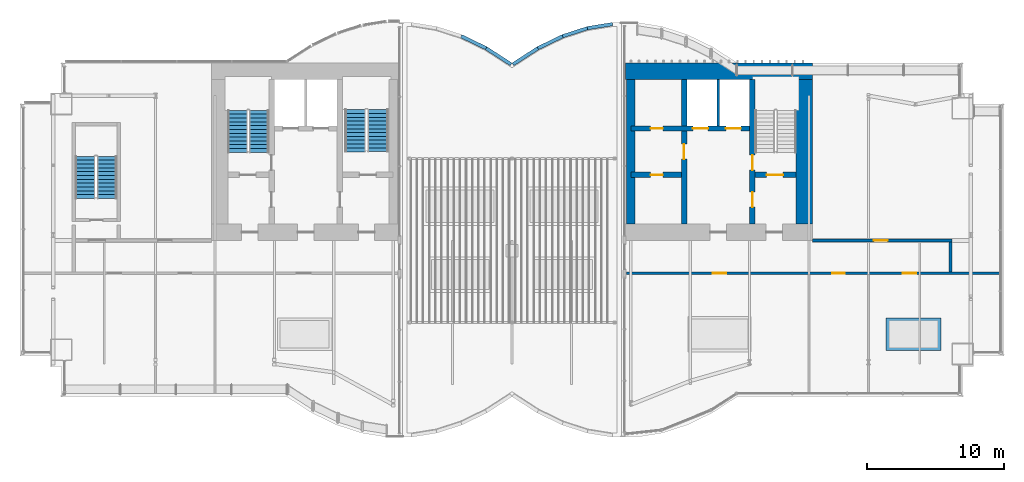
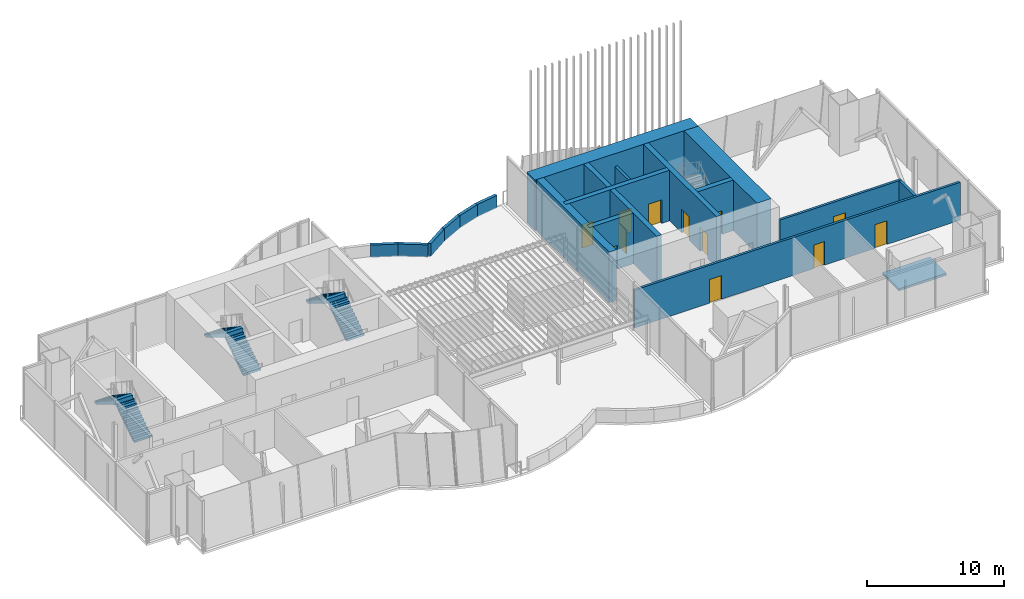
# One storey, part 13 of 18: 19 walls, 12 doors, 6 stair flights, 12 openings, 3 elements without a shape of their own.
"""IFC4 building model written with IfcOpenShell, lengths in metres."""

import ifcopenshell
import ifcopenshell.guid

model = None  # the IFC model being written
_history = None  # IfcOwnerHistory: only IFC2X3 demands one
_inside = {}  # id of a spatial element -> (the spatial element, [elements in it])
_under = {}  # id of a project, library or spatial element -> (it, [spatial elements below it])
_declared = {}  # id of a project -> (the project, [libraries it declares])
_typed = {}  # id of a type object -> (the type object, [elements of that type])
_made_of = {}  # id of a material, layer set ... -> (it, [elements and type objects made of it])


def new_model(schema):
    """Start an empty IFC model of exactly this schema.

    Asked for "IFC4X3", IfcOpenShell would pick the latest addendum, in which some entities
    have other attributes; the version numbers below select the first issue.
    IFC2X3 requires an IfcOwnerHistory on every rooted entity: one is made here for all.
    """
    global model, _history
    if schema == "IFC4X3":
        model = ifcopenshell.file(schema_version=(4, 3, 0, 0))
    else:
        model = ifcopenshell.file(schema=schema)
    _inside.clear()
    _under.clear()
    _declared.clear()
    _typed.clear()
    _made_of.clear()
    _history = None
    if model.schema == "IFC2X3":
        org = make("IfcOrganization", Name="unknown")
        user = make(
            "IfcPersonAndOrganization",
            ThePerson=make("IfcPerson", FamilyName="unknown"),
            TheOrganization=org,
        )
        app = make(
            "IfcApplication",
            ApplicationDeveloper=org,
            Version="unknown",
            ApplicationFullName="unknown",
            ApplicationIdentifier="unknown",
        )
        _history = make(
            "IfcOwnerHistory",
            OwningUser=user,
            OwningApplication=app,
            ChangeAction="ADDED",
            CreationDate=0,
        )
    return model


def make(cls, **values):
    """One entity of the class cls with the attributes given. An attribute that is None is left unset."""
    return model.create_entity(
        cls, **{name: value for name, value in values.items() if value is not None}
    )


def rooted(cls, **values):
    """An entity with a GlobalId (a new one), such as an element, a storey or a relation."""
    return make(cls, GlobalId=ifcopenshell.guid.new(), OwnerHistory=_history, **values)


def si_unit(unit_type, name, prefix=None):
    """IfcSIUnit, for example si_unit("LENGTHUNIT", "METRE", prefix="MILLI")."""
    return make("IfcSIUnit", UnitType=unit_type, Prefix=prefix, Name=name)


def assignment(units):
    """IfcUnitAssignment: the units of a project."""
    return None if units is None else make("IfcUnitAssignment", Units=units)


def point(xyz):
    """IfcCartesianPoint."""
    return None if xyz is None else make("IfcCartesianPoint", Coordinates=xyz)


def direction(xyz):
    """IfcDirection."""
    return None if xyz is None else make("IfcDirection", DirectionRatios=xyz)


def frame(location, z_axis=None, x_axis=None):
    """IfcAxis2Placement3D, a coordinate frame: its origin and axes. An axis left out is left unset."""
    return make(
        "IfcAxis2Placement3D",
        Location=point(location),
        Axis=direction(z_axis),
        RefDirection=direction(x_axis),
    )


def frame_2d(location, x_axis=None):
    """IfcAxis2Placement2D, a coordinate frame in the plane: its origin and x axis."""
    return make(
        "IfcAxis2Placement2D", Location=point(location), RefDirection=direction(x_axis)
    )


def origin():
    """The frame at (0, 0, 0) with its axes left unset."""
    return frame((0.0, 0.0, 0.0))


def origin_2d():
    """The frame at (0, 0) in the plane with its x axis left unset."""
    return frame_2d((0.0, 0.0))


def place(relative_to, where):
    """IfcLocalPlacement: puts the frame where relative to a parent placement (None: the world)."""
    return make(
        "IfcLocalPlacement", PlacementRelTo=relative_to, RelativePlacement=where
    )


def context(
    kind, dimensions, precision=None, world=None, true_north=None, identifier=None
):
    """IfcGeometricRepresentationContext, for example the 3D "Model" context."""
    return make(
        "IfcGeometricRepresentationContext",
        ContextIdentifier=identifier,
        ContextType=kind,
        CoordinateSpaceDimension=dimensions,
        Precision=precision,
        WorldCoordinateSystem=world,
        TrueNorth=true_north,
    )


def subcontext(parent, identifier, kind, view, scale=None):
    """IfcGeometricRepresentationSubContext, for example "Body" below "Model"."""
    return make(
        "IfcGeometricRepresentationSubContext",
        ContextIdentifier=identifier,
        ContextType=kind,
        ParentContext=parent,
        TargetScale=scale,
        TargetView=view,
    )


def project(units=None, contexts=None):
    """IfcProject with its units and contexts."""
    return rooted(
        "IfcProject",
        Name="project",
        RepresentationContexts=contexts,
        UnitsInContext=assignment(units),
    )


def spatial(cls, under=None, at=None, **own):
    """A site, building, storey or space (cls), placed at a placement, below another one or the project."""
    s = rooted(cls, ObjectPlacement=at, **own)
    if under is not None:
        _under.setdefault(under.id(), (under, []))[1].append(s)
    return s


def polyline(points):
    """IfcPolyline through the points."""
    return make("IfcPolyline", Points=[point(p) for p in points])


def profile(cls, at=None, kind="AREA", **sizes):
    """A parametric profile (cls). Its sizes go by their IFC names, for example OverallWidth=200.0."""
    return make(cls, ProfileType=kind, Position=at, **sizes)


def rectangle(**sizes):
    """IfcRectangleProfileDef."""
    return profile("IfcRectangleProfileDef", **sizes)


def outline(outer, holes=None, kind="AREA"):
    """IfcArbitraryClosedProfileDef: a profile drawn as a closed curve; with holes, ...WithVoids."""
    if holes is None:
        return make("IfcArbitraryClosedProfileDef", ProfileType=kind, OuterCurve=outer)
    return make(
        "IfcArbitraryProfileDefWithVoids",
        ProfileType=kind,
        OuterCurve=outer,
        InnerCurves=holes,
    )


def extrude(swept, where, along, depth):
    """IfcExtrudedAreaSolid: the profile swept, set in the frame where, extruded along a direction by depth."""
    return make(
        "IfcExtrudedAreaSolid",
        SweptArea=swept,
        Position=where,
        ExtrudedDirection=direction(along),
        Depth=depth,
    )


def shape(context_of_items, identifier, shape_type, items):
    """IfcShapeRepresentation: the items that make up one representation, for example the "Body"."""
    return make(
        "IfcShapeRepresentation",
        ContextOfItems=context_of_items,
        RepresentationIdentifier=identifier,
        RepresentationType=shape_type,
        Items=items,
    )


def material(Name=None, Category=None):
    """IfcMaterial."""
    return make("IfcMaterial", Name=Name, Category=Category)


def layer(
    of_material, thickness, ventilated=None, Name=None, Category=None, Priority=None
):
    """IfcMaterialLayer: one layer of a wall or slab, of a material (None: an air gap)."""
    return make(
        "IfcMaterialLayer",
        Material=of_material,
        LayerThickness=thickness,
        IsVentilated=ventilated,
        Name=Name,
        Category=Category,
        Priority=Priority,
    )


def layer_set(layers, Name=None):
    """IfcMaterialLayerSet."""
    return make("IfcMaterialLayerSet", MaterialLayers=layers, LayerSetName=Name)


def layer_usage(for_layer_set, set_direction, sense, offset, extent=None):
    """IfcMaterialLayerSetUsage: how a layer set lies in its element."""
    return make(
        "IfcMaterialLayerSetUsage",
        ForLayerSet=for_layer_set,
        LayerSetDirection=set_direction,
        DirectionSense=sense,
        OffsetFromReferenceLine=offset,
        ReferenceExtent=extent,
    )


def made_of(thing, what):
    """Note that an element or type object is made of a material, layer set ...; save() writes the relation."""
    if what is not None:
        _made_of.setdefault(what.id(), (what, []))[1].append(thing)
    return thing


def type_object(cls, material=None, **own):
    """A type object (cls), such as IfcWallType, which elements share."""
    return made_of(rooted(cls, **own), material)


def element(
    cls,
    number,
    at=None,
    inside=None,
    cuts=None,
    type_object=None,
    material=None,
    context=None,
    identifier="Body",
    shape_type=None,
    held_by="IfcProductDefinitionShape",
    body=None,
    shapes=None,
    **own,
):
    """One element of the class cls, such as IfcWall. Its Tag is "e" and its number.

    at: its placement. inside: the storey or other place that contains it. cuts: it is an
    opening in that element (IfcRelVoidsElement). A single representation is given by context,
    identifier, shape_type and body (its items); several are given by shapes. held_by: the class
    of the entity that holds the representations. save() writes the other relations.
    """
    e = rooted(cls, Tag="e%d" % number, ObjectPlacement=at, **own)
    if body is not None:
        shapes = [shape(context, identifier, shape_type, body)]
    if shapes is not None:
        e.Representation = make(held_by, Representations=shapes)
    if inside is not None:
        _inside.setdefault(inside.id(), (inside, []))[1].append(e)
    if cuts is not None:
        rooted(
            "IfcRelVoidsElement", RelatingBuildingElement=cuts, RelatedOpeningElement=e
        )
    if type_object is not None:
        _typed.setdefault(type_object.id(), (type_object, []))[1].append(e)
    return made_of(e, material)


def fill(opening, filler):
    """IfcRelFillsElement: the door or window that sits in an opening."""
    return rooted(
        "IfcRelFillsElement",
        RelatingOpeningElement=opening,
        RelatedBuildingElement=filler,
    )


def aggregate(whole, parts):
    """IfcRelAggregates: a whole, such as a stair, and the parts it consists of."""
    return rooted("IfcRelAggregates", RelatingObject=whole, RelatedObjects=parts)


def save(model, path):
    """Write the relations noted so far, then the file.

    IfcRelAggregates (storeys below a building ...), IfcRelContainedInSpatialStructure (elements
    in a storey), IfcRelDefinesByType, IfcRelAssociatesMaterial and IfcRelDeclares: one each for
    every whole, place, type object, material and project.
    """
    for whole, parts in _under.values():
        aggregate(whole, parts)
    for where, things in _inside.values():
        rooted(
            "IfcRelContainedInSpatialStructure",
            RelatedElements=things,
            RelatingStructure=where,
        )
    for kind, things in _typed.values():
        rooted("IfcRelDefinesByType", RelatedObjects=things, RelatingType=kind)
    for what, things in _made_of.values():
        rooted("IfcRelAssociatesMaterial", RelatedObjects=things, RelatingMaterial=what)
    for by, libraries in _declared.values():
        rooted("IfcRelDeclares", RelatingContext=by, RelatedDefinitions=libraries)
    model.write(path)


model = new_model("IFC4")

# Units and contexts
model_context = context("Model", 3, precision=1e-05, world=origin(), true_north=direction((0.0, 1.0)))
body_context = subcontext(model_context, "Body", "Model", "MODEL_VIEW")
ifc_project = project(units=[si_unit("LENGTHUNIT", "METRE"), si_unit("AREAUNIT", "SQUARE_METRE"), si_unit("VOLUMEUNIT", "CUBIC_METRE"), si_unit("PLANEANGLEUNIT", "RADIAN"), si_unit("MASSUNIT", "GRAM", prefix="KILO")], contexts=[model_context])

# Site, building, storey
site_placement = place(None, origin())
site = spatial("IfcSite", under=ifc_project, at=site_placement, CompositionType="ELEMENT")
building_placement = place(site_placement, origin())
building = spatial("IfcBuilding", under=site, at=building_placement, Name="Bicima Exchange Tower", CompositionType="ELEMENT")
storey_placement = place(building_placement, frame((0.0, 0.0, 347.89990234375)))
storey = spatial("IfcBuildingStorey", under=building, at=storey_placement, Name="L78", CompositionType="ELEMENT", Elevation=347.89990234375)

# Wall
ifc_material_1 = material(Name="Gypsum board partition")
ifc_layer_1 = layer(ifc_material_1, 0.199951171875)
ifc_layer_set_1 = layer_set([ifc_layer_1], Name="Gypsum board partition")
wall_type_1 = type_object("IfcWallType", Name="Fire-rated gypsum partition 200 EI120", PredefinedType="PARTITIONING", material=ifc_layer_set_1)
wall_1_placement = place(storey_placement, frame((15.10009765625, -4.60009765625, 0.0), z_axis=(0.0, 0.0, 1.0), x_axis=(0.0, 1.0, 0.0)))
element("IfcWall", 1, at=wall_1_placement, inside=storey, type_object=wall_type_1, Name="partition wall 11", PredefinedType="PARTITIONING", context=body_context, shape_type="SweptSolid", body=[
    extrude(rectangle(XDim=3.400146484375, YDim=0.199951171875, at=frame_2d((1.7001953125, 0.0))), origin(), (0.0, 0.0, 1.0), 3.368408203125),
])

# Wall, openings, doors
ifc_layer_2 = layer(ifc_material_1, 0.199951171875)
ifc_layer_set_2 = layer_set([ifc_layer_2], Name="Gypsum board partition")
wall_type_2 = type_object("IfcWallType", Name="Fire-rated gypsum partition 200 EI60", PredefinedType="PARTITIONING", material=ifc_layer_set_2)
wall_2_placement = place(storey_placement, frame((8.3798828125, -15.39990234375, 0.0), z_axis=(0.0, 0.0, 1.0), x_axis=(1.0, 0.0, 0.0)))
wall_2 = element("IfcWall", 2, at=wall_2_placement, inside=storey, type_object=wall_type_2, Name="partition wall 2", PredefinedType="PARTITIONING", context=body_context, shape_type="SweptSolid", body=[
    extrude(rectangle(XDim=27.41015625, YDim=0.199951171875, at=frame_2d((13.705078125, 0.0))), origin(), (0.0, 0.0, 1.0), 3.368408203125),
])
opening_1_placement = place(wall_2_placement, frame((6.320068359375, 0.0, 0.0)))
opening_1 = element("IfcOpeningElement", 3, at=opening_1_placement, cuts=wall_2, Name="Opening L78-008", PredefinedType="OPENING", context=body_context, shape_type="SweptSolid", body=[
    extrude(rectangle(XDim=1.0, YDim=2.10009765625, at=frame_2d((0.5, 1.050048828125))), frame((0.0, 0.11181640625, 0.0), z_axis=(0.0, -1.0, 0.0), x_axis=(1.0, 0.0, 0.0)), (0.0, 0.0, 1.0), 0.223876953125),
])
opening_2_placement = place(wall_2_placement, frame((15.070068359375, 0.0, 0.0)))
opening_2 = element("IfcOpeningElement", 4, at=opening_2_placement, cuts=wall_2, Name="Opening L78-009", PredefinedType="OPENING", context=body_context, shape_type="SweptSolid", body=[
    extrude(rectangle(XDim=0.89990234375, YDim=2.10009765625, at=frame_2d((0.449951171875, 1.050048828125))), frame((0.0, 0.11181640625, 0.0), z_axis=(0.0, -1.0, 0.0), x_axis=(1.0, 0.0, 0.0)), (0.0, 0.0, 1.0), 0.223876953125),
])
opening_3_placement = place(wall_2_placement, frame((20.219970703125, 0.0, 0.0)))
opening_3 = element("IfcOpeningElement", 5, at=opening_3_placement, cuts=wall_2, Name="Opening L78-010", PredefinedType="OPENING", context=body_context, shape_type="SweptSolid", body=[
    extrude(rectangle(XDim=1.0, YDim=2.10009765625, at=frame_2d((0.5, 1.050048828125))), frame((0.0, 0.11181640625, 0.0), z_axis=(0.0, -1.0, 0.0), x_axis=(1.0, 0.0, 0.0)), (0.0, 0.0, 1.0), 0.223876953125),
])
ifc_material_2 = material(Name="Steel fire door leaf", Category="steel")
door_type_1 = type_object("IfcDoorType", Name="Door 1000 swing FD30S", OperationType="SINGLE_SWING_LEFT", PredefinedType="DOOR", material=ifc_material_2)
door_1_placement = place(opening_1_placement, frame((1.0, 0.0, 0.0), z_axis=(0.0, 0.0, 1.0), x_axis=(-1.0, 0.0, 0.0)))
door_1 = element("IfcDoor", 6, at=door_1_placement, inside=storey, type_object=door_type_1, Name="Door", OperationType="SINGLE_SWING_RIGHT", OverallHeight=2.10009765625, OverallWidth=1.0, PredefinedType="DOOR", context=body_context, shape_type="SweptSolid", body=[
    extrude(rectangle(XDim=1.0, YDim=2.10009765625, at=frame_2d((0.5, 1.050048828125))), frame((0.0, 0.02490234375, 0.0), z_axis=(0.0, -1.0, 0.0), x_axis=(1.0, 0.0, 0.0)), (0.0, 0.0, 1.0), 0.050048828125),
])
fill(opening_1, door_1)
door_2_placement = place(opening_3_placement, frame((1.0, 0.0, 0.0), z_axis=(0.0, 0.0, 1.0), x_axis=(-1.0, 0.0, 0.0)))
door_2 = element("IfcDoor", 7, at=door_2_placement, inside=storey, type_object=door_type_1, Name="Door", OperationType="SINGLE_SWING_LEFT", OverallHeight=2.10009765625, OverallWidth=1.0, PredefinedType="DOOR", context=body_context, shape_type="SweptSolid", body=[
    extrude(rectangle(XDim=1.0, YDim=2.10009765625, at=frame_2d((0.5, 1.050048828125))), frame((0.0, 0.02490234375, 0.0), z_axis=(0.0, -1.0, 0.0), x_axis=(1.0, 0.0, 0.0)), (0.0, 0.0, 1.0), 0.050048828125),
])
fill(opening_3, door_2)
door_type_2 = type_object("IfcDoorType", Name="Door 900 swing FD30S", OperationType="SINGLE_SWING_LEFT", PredefinedType="DOOR", material=ifc_material_2)
door_3_placement = place(opening_2_placement, frame((0.89990234375, 0.0, 0.0), z_axis=(0.0, 0.0, 1.0), x_axis=(-1.0, 0.0, 0.0)))
door_3 = element("IfcDoor", 8, at=door_3_placement, inside=storey, type_object=door_type_2, Name="Door", OperationType="SINGLE_SWING_RIGHT", OverallHeight=2.10009765625, OverallWidth=0.89990234375, PredefinedType="DOOR", context=body_context, shape_type="SweptSolid", body=[
    extrude(rectangle(XDim=0.89990234375, YDim=2.10009765625, at=frame_2d((0.449951171875, 1.050048828125))), frame((0.0, 0.02490234375, 0.0), z_axis=(0.0, -1.0, 0.0), x_axis=(1.0, 0.0, 0.0)), (0.0, 0.0, 1.0), 0.050048828125),
])
fill(opening_2, door_3)

# Wall, opening, door
wall_3_placement = place(storey_placement, frame((22.0, -13.0, 0.0), z_axis=(0.0, 0.0, 1.0), x_axis=(1.0, 0.0, 0.0)))
wall_3 = element("IfcWall", 9, at=wall_3_placement, inside=storey, type_object=wall_type_2, Name="partition wall 4", PredefinedType="PARTITIONING", context=body_context, shape_type="SweptSolid", body=[
    extrude(rectangle(XDim=10.199951171875, YDim=0.199951171875, at=frame_2d((5.10009765625, 0.0))), origin(), (0.0, 0.0, 1.0), 3.368408203125),
])
opening_4_placement = place(wall_3_placement, frame((4.5, 0.0, 0.0)))
opening_4 = element("IfcOpeningElement", 10, at=opening_4_placement, cuts=wall_3, Name="Opening L78-007", PredefinedType="OPENING", context=body_context, shape_type="SweptSolid", body=[
    extrude(rectangle(XDim=1.0, YDim=2.10009765625, at=frame_2d((0.5, 1.050048828125))), frame((0.0, 0.11181640625, 0.0), z_axis=(0.0, -1.0, 0.0), x_axis=(1.0, 0.0, 0.0)), (0.0, 0.0, 1.0), 0.223876953125),
])
door_4_placement = place(opening_4_placement, origin())
door_4 = element("IfcDoor", 11, at=door_4_placement, inside=storey, type_object=door_type_1, Name="Door", OperationType="SINGLE_SWING_LEFT", OverallHeight=2.10009765625, OverallWidth=1.0, PredefinedType="DOOR", context=body_context, shape_type="SweptSolid", body=[
    extrude(rectangle(XDim=1.0, YDim=2.10009765625, at=frame_2d((0.5, 1.050048828125))), frame((0.0, 0.02490234375, 0.0), z_axis=(0.0, -1.0, 0.0), x_axis=(1.0, 0.0, 0.0)), (0.0, 0.0, 1.0), 0.050048828125),
])
fill(opening_4, door_4)

# Walls
wall_4_placement = place(storey_placement, frame((32.10009765625, -15.300048828125, 0.0), z_axis=(0.0, 0.0, 1.0), x_axis=(0.0, 1.0, 0.0)))
element("IfcWall", 12, at=wall_4_placement, inside=storey, type_object=wall_type_2, Name="partition wall 13", PredefinedType="PARTITIONING", context=body_context, shape_type="SweptSolid", body=[
    extrude(rectangle(XDim=2.199951171875, YDim=0.199951171875, at=frame_2d((1.10009765625, 0.0))), origin(), (0.0, 0.0, 1.0), 3.368408203125),
])
ifc_material_3 = material(Name="Concrete C40/50", Category="concrete")
ifc_layer_3 = layer(ifc_material_3, 0.2)
ifc_layer_set_3 = layer_set([ifc_layer_3], Name="Concrete C40/50")
wall_type_3 = type_object("IfcWallType", Name="Plant plinth 200", PredefinedType="USERDEFINED", material=ifc_layer_set_3)
wall_5_placement = place(storey_placement, frame((29.394287109375, -19.857666015625, 0.0), z_axis=(0.0, 0.0, 1.0), x_axis=(1.0, 0.0, 0.0)))
element("IfcWall", 13, at=wall_5_placement, inside=storey, type_object=wall_type_3, Name="Plant plinth Water treatment skid", ObjectType="PLINTH", PredefinedType="USERDEFINED", context=body_context, shape_type="SweptSolid", body=[
    extrude(rectangle(XDim=4.0, YDim=2.39990234375, at=origin_2d()), origin(), (0.0, 0.0, 1.0), 0.199951171875),
])
ifc_layer_4 = layer(ifc_material_3, 1.199951171875)
ifc_layer_set_4 = layer_set([ifc_layer_4], Name="Concrete C40/50")
wall_type_4 = type_object("IfcWallType", Name="RC core wall 1200 C40/50", PredefinedType="SHEAR", material=ifc_layer_set_4)
wall_6_placement = place(storey_placement, frame((8.300048828125, -0.60009765625, 0.0), z_axis=(0.0, 0.0, 1.0), x_axis=(1.0, 0.0, 0.0)))
element("IfcWall", 14, at=wall_6_placement, inside=storey, type_object=wall_type_4, Name="Core wall north-E", PredefinedType="SHEAR", context=body_context, shape_type="SweptSolid", body=[
    extrude(rectangle(XDim=13.699951171875, YDim=1.199951171875, at=frame_2d((6.85009765625, 0.0))), origin(), (0.0, 0.0, 1.0), 4.5),
])
wall_7_placement = place(storey_placement, frame((21.39990234375, -11.800048828125, 0.0), z_axis=(0.0, 0.0, 1.0), x_axis=(0.0, 1.0, 0.0)))
element("IfcWall", 15, at=wall_7_placement, inside=storey, type_object=wall_type_4, Name="Core wall outer-E", PredefinedType="SHEAR", context=body_context, shape_type="SweptSolid", body=[
    extrude(rectangle(XDim=10.60009765625, YDim=1.199951171875, at=frame_2d((5.300048828125, 0.0))), origin(), (0.0, 0.0, 1.0), 4.5),
])

# Wall, opening, door
ifc_layer_5 = layer(ifc_material_3, 0.39990234375)
ifc_layer_set_5 = layer_set([ifc_layer_5], Name="Concrete C40/50")
wall_type_5 = type_object("IfcWallType", Name="RC core wall 400 C40/50", PredefinedType="SHEAR", material=ifc_layer_set_5)
wall_8_placement = place(storey_placement, frame((8.699951171875, -8.199951171875, 0.0), z_axis=(0.0, 0.0, 1.0), x_axis=(1.0, 0.0, 0.0)))
wall_8 = element("IfcWall", 16, at=wall_8_placement, inside=storey, type_object=wall_type_5, Name="shear wall 3", PredefinedType="SHEAR", context=body_context, shape_type="SweptSolid", body=[
    extrude(rectangle(XDim=3.699951171875, YDim=0.39990234375, at=frame_2d((1.85009765625, 0.0))), origin(), (0.0, 0.0, 1.0), 4.5),
])
opening_5_placement = place(wall_8_placement, frame((1.449951171875, 0.0, 0.0)))
opening_5 = element("IfcOpeningElement", 17, at=opening_5_placement, cuts=wall_8, Name="Opening L78-C11", PredefinedType="OPENING", context=body_context, shape_type="SweptSolid", body=[
    extrude(rectangle(XDim=0.89990234375, YDim=2.10009765625, at=frame_2d((0.449951171875, 1.050048828125))), frame((0.0, 0.2119140625, 0.0), z_axis=(0.0, -1.0, 0.0), x_axis=(1.0, 0.0, 0.0)), (0.0, 0.0, 1.0), 0.423828125),
])
door_5_placement = place(opening_5_placement, frame((0.89990234375, 0.0, 0.0), z_axis=(0.0, 0.0, 1.0), x_axis=(-1.0, 0.0, 0.0)))
door_5 = element("IfcDoor", 18, at=door_5_placement, inside=storey, type_object=door_type_2, Name="Core door", OperationType="SINGLE_SWING_RIGHT", OverallHeight=2.10009765625, OverallWidth=0.89990234375, PredefinedType="DOOR", context=body_context, shape_type="SweptSolid", body=[
    extrude(rectangle(XDim=0.89990234375, YDim=2.10009765625, at=frame_2d((0.449951171875, 1.050048828125))), frame((0.0, 0.02490234375, 0.0), z_axis=(0.0, -1.0, 0.0), x_axis=(1.0, 0.0, 0.0)), (0.0, 0.0, 1.0), 0.050048828125),
])
fill(opening_5, door_5)

# Wall, openings, doors
wall_9_placement = place(storey_placement, frame((8.699951171875, -4.800048828125, 0.0), z_axis=(0.0, 0.0, 1.0), x_axis=(1.0, 0.0, 0.0)))
wall_9 = element("IfcWall", 19, at=wall_9_placement, inside=storey, type_object=wall_type_5, Name="shear wall 6", PredefinedType="SHEAR", context=body_context, shape_type="SweptSolid", body=[
    extrude(rectangle(XDim=8.699951171875, YDim=0.39990234375, at=frame_2d((4.35009765625, 0.0))), origin(), (0.0, 0.0, 1.0), 4.5),
])
opening_6_placement = place(wall_9_placement, frame((4.550048828125, 0.0, 0.0)))
opening_6 = element("IfcOpeningElement", 20, at=opening_6_placement, cuts=wall_9, Name="Opening LD-FF2-L78", PredefinedType="OPENING", context=body_context, shape_type="SweptSolid", body=[
    extrude(rectangle(XDim=1.10009765625, YDim=2.10009765625, at=frame_2d((0.550048828125, 1.050048828125))), frame((0.0, 0.2119140625, 0.0), z_axis=(0.0, -1.0, 0.0), x_axis=(1.0, 0.0, 0.0)), (0.0, 0.0, 1.0), 0.423828125),
])
opening_7_placement = place(wall_9_placement, frame((6.949951171875, 0.0, 0.0)))
opening_7 = element("IfcOpeningElement", 21, at=opening_7_placement, cuts=wall_9, Name="Opening LD-SV1-L78", PredefinedType="OPENING", context=body_context, shape_type="SweptSolid", body=[
    extrude(rectangle(XDim=1.10009765625, YDim=2.10009765625, at=frame_2d((0.550048828125, 1.050048828125))), frame((0.0, 0.2119140625, 0.0), z_axis=(0.0, -1.0, 0.0), x_axis=(1.0, 0.0, 0.0)), (0.0, 0.0, 1.0), 0.423828125),
])
opening_8_placement = place(wall_9_placement, frame((1.449951171875, 0.0, 0.0)))
opening_8 = element("IfcOpeningElement", 22, at=opening_8_placement, cuts=wall_9, Name="Opening L78-C10", PredefinedType="OPENING", context=body_context, shape_type="SweptSolid", body=[
    extrude(rectangle(XDim=0.89990234375, YDim=2.10009765625, at=frame_2d((0.449951171875, 1.050048828125))), frame((0.0, 0.2119140625, 0.0), z_axis=(0.0, -1.0, 0.0), x_axis=(1.0, 0.0, 0.0)), (0.0, 0.0, 1.0), 0.423828125),
])
door_6_placement = place(opening_8_placement, origin())
door_6 = element("IfcDoor", 23, at=door_6_placement, inside=storey, type_object=door_type_2, Name="Core door", OperationType="SINGLE_SWING_RIGHT", OverallHeight=2.10009765625, OverallWidth=0.89990234375, PredefinedType="DOOR", context=body_context, shape_type="SweptSolid", body=[
    extrude(rectangle(XDim=0.89990234375, YDim=2.10009765625, at=frame_2d((0.449951171875, 1.050048828125))), frame((0.0, 0.02490234375, 0.0), z_axis=(0.0, -1.0, 0.0), x_axis=(1.0, 0.0, 0.0)), (0.0, 0.0, 1.0), 0.050048828125),
])
fill(opening_8, door_6)
ifc_material_4 = material(Name="Stainless steel", Category="steel")
door_type_3 = type_object("IfcDoorType", Name="Lift landing door 1100 sliding", OperationType="DOUBLE_DOOR_SLIDING", PredefinedType="DOOR", material=ifc_material_4)
door_7_placement = place(opening_6_placement, origin())
door_7 = element("IfcDoor", 24, at=door_7_placement, inside=storey, type_object=door_type_3, Name="Lift landing door FF2", OperationType="DOUBLE_DOOR_SLIDING", OverallHeight=2.10009765625, OverallWidth=1.10009765625, PredefinedType="DOOR", context=body_context, shape_type="SweptSolid", body=[
    extrude(rectangle(XDim=1.10009765625, YDim=2.10009765625, at=frame_2d((0.550048828125, 1.050048828125))), frame((0.0, 0.02490234375, 0.0), z_axis=(0.0, -1.0, 0.0), x_axis=(1.0, 0.0, 0.0)), (0.0, 0.0, 1.0), 0.050048828125),
])
fill(opening_6, door_7)
door_8_placement = place(opening_7_placement, origin())
door_8 = element("IfcDoor", 25, at=door_8_placement, inside=storey, type_object=door_type_3, Name="Lift landing door SV1", OperationType="DOUBLE_DOOR_SLIDING", OverallHeight=2.10009765625, OverallWidth=1.10009765625, PredefinedType="DOOR", context=body_context, shape_type="SweptSolid", body=[
    extrude(rectangle(XDim=1.10009765625, YDim=2.10009765625, at=frame_2d((0.550048828125, 1.050048828125))), frame((0.0, 0.02490234375, 0.0), z_axis=(0.0, -1.0, 0.0), x_axis=(1.0, 0.0, 0.0)), (0.0, 0.0, 1.0), 0.050048828125),
])
fill(opening_7, door_8)

# Wall, opening, door
wall_10_placement = place(storey_placement, frame((12.60009765625, -11.800048828125, 0.0), z_axis=(0.0, 0.0, 1.0), x_axis=(0.0, 1.0, 0.0)))
wall_10 = element("IfcWall", 26, at=wall_10_placement, inside=storey, type_object=wall_type_5, Name="shear wall 10", PredefinedType="SHEAR", context=body_context, shape_type="SweptSolid", body=[
    extrude(rectangle(XDim=10.60009765625, YDim=0.39990234375, at=frame_2d((5.300048828125, 0.0))), origin(), (0.0, 0.0, 1.0), 4.5),
])
opening_9_placement = place(wall_10_placement, frame((4.75, 0.0, 0.0)))
opening_9 = element("IfcOpeningElement", 27, at=opening_9_placement, cuts=wall_10, Name="Opening L78-C09", PredefinedType="OPENING", context=body_context, shape_type="SweptSolid", body=[
    extrude(rectangle(XDim=1.10009765625, YDim=2.10009765625, at=frame_2d((0.550048828125, 1.050048828125))), frame((0.0, 0.2119140625, 0.0), z_axis=(0.0, -1.0, 0.0), x_axis=(1.0, 0.0, 0.0)), (0.0, 0.0, 1.0), 0.423828125),
])
door_type_4 = type_object("IfcDoorType", Name="Door 1100 swing FD60S", OperationType="SINGLE_SWING_LEFT", PredefinedType="DOOR", material=ifc_material_2)
door_9_placement = place(opening_9_placement, frame((1.10009765625, 0.0, 0.0), z_axis=(0.0, 0.0, 1.0), x_axis=(-1.0, 0.0, 0.0)))
door_9 = element("IfcDoor", 28, at=door_9_placement, inside=storey, type_object=door_type_4, Name="Core door", OperationType="SINGLE_SWING_RIGHT", OverallHeight=2.10009765625, OverallWidth=1.10009765625, PredefinedType="DOOR", context=body_context, shape_type="SweptSolid", body=[
    extrude(rectangle(XDim=1.10009765625, YDim=2.10009765625, at=frame_2d((0.550048828125, 1.050048828125))), frame((0.0, 0.02490234375, 0.0), z_axis=(0.0, -1.0, 0.0), x_axis=(1.0, 0.0, 0.0)), (0.0, 0.0, 1.0), 0.050048828125),
])
fill(opening_9, door_9)

ifc_material_5 = material(Name="Concrete C50/60", Category="concrete")
ifc_layer_6 = layer(ifc_material_5, 0.39990234375)
ifc_layer_set_6 = layer_set([ifc_layer_6], Name="Concrete C50/60")
wall_type_6 = type_object("IfcWallType", Name="RC core wall 400 C50/60", PredefinedType="SHEAR", material=ifc_layer_set_6)
wall_11_placement = place(storey_placement, frame((17.800048828125, -8.199951171875, 0.0), z_axis=(0.0, 0.0, 1.0), x_axis=(1.0, 0.0, 0.0)))
wall_11 = element("IfcWall", 29, at=wall_11_placement, inside=storey, type_object=wall_type_6, Name="stair wall 4", PredefinedType="SHEAR", context=body_context, shape_type="SweptSolid", body=[
    extrude(rectangle(XDim=3.0, YDim=0.39990234375, at=frame_2d((1.5, 0.0))), origin(), (0.0, 0.0, 1.0), 4.5),
])
opening_10_placement = place(wall_11_placement, frame((0.85009765625, 0.0, 0.0)))
opening_10 = element("IfcOpeningElement", 30, at=opening_10_placement, cuts=wall_11, Name="Opening L78-C03", PredefinedType="OPENING", context=body_context, shape_type="SweptSolid", body=[
    extrude(rectangle(XDim=1.199951171875, YDim=2.10009765625, at=frame_2d((0.60009765625, 1.050048828125))), frame((0.0, 0.2119140625, 0.0), z_axis=(0.0, -1.0, 0.0), x_axis=(1.0, 0.0, 0.0)), (0.0, 0.0, 1.0), 0.423828125),
])
door_type_5 = type_object("IfcDoorType", Name="Door 1200 swing FD60S", OperationType="SINGLE_SWING_LEFT", PredefinedType="DOOR", material=ifc_material_2)
door_10_placement = place(opening_10_placement, origin())
door_10 = element("IfcDoor", 31, at=door_10_placement, inside=storey, type_object=door_type_5, Name="Core door", OperationType="SINGLE_SWING_LEFT", OverallHeight=2.10009765625, OverallWidth=1.199951171875, PredefinedType="DOOR", context=body_context, shape_type="SweptSolid", body=[
    extrude(rectangle(XDim=1.199951171875, YDim=2.10009765625, at=frame_2d((0.60009765625, 1.050048828125))), frame((0.0, 0.02490234375, 0.0), z_axis=(0.0, -1.0, 0.0), x_axis=(1.0, 0.0, 0.0)), (0.0, 0.0, 1.0), 0.050048828125),
])
fill(opening_10, door_10)

# Wall, openings, doors
wall_12_placement = place(storey_placement, frame((17.60009765625, -11.800048828125, 0.0), z_axis=(0.0, 0.0, 1.0), x_axis=(0.0, 1.0, 0.0)))
wall_12 = element("IfcWall", 32, at=wall_12_placement, inside=storey, type_object=wall_type_6, Name="stair wall 12", PredefinedType="SHEAR", context=body_context, shape_type="SweptSolid", body=[
    extrude(rectangle(XDim=10.60009765625, YDim=0.39990234375, at=frame_2d((5.300048828125, 0.0))), origin(), (0.0, 0.0, 1.0), 4.5),
])
opening_11_placement = place(wall_12_placement, frame((1.25, 0.0, 0.0)))
opening_11 = element("IfcOpeningElement", 33, at=opening_11_placement, cuts=wall_12, Name="Opening L78-C04", PredefinedType="OPENING", context=body_context, shape_type="SweptSolid", body=[
    extrude(rectangle(XDim=1.10009765625, YDim=2.10009765625, at=frame_2d((0.550048828125, 1.050048828125))), frame((0.0, 0.2119140625, 0.0), z_axis=(0.0, -1.0, 0.0), x_axis=(1.0, 0.0, 0.0)), (0.0, 0.0, 1.0), 0.423828125),
])
opening_12_placement = place(wall_12_placement, frame((3.949951171875, 0.0, 0.0)))
opening_12 = element("IfcOpeningElement", 34, at=opening_12_placement, cuts=wall_12, Name="Opening L78-C08", PredefinedType="OPENING", context=body_context, shape_type="SweptSolid", body=[
    extrude(rectangle(XDim=1.10009765625, YDim=2.10009765625, at=frame_2d((0.550048828125, 1.050048828125))), frame((0.0, 0.2119140625, 0.0), z_axis=(0.0, -1.0, 0.0), x_axis=(1.0, 0.0, 0.0)), (0.0, 0.0, 1.0), 0.423828125),
])
door_11_placement = place(opening_11_placement, origin())
door_11 = element("IfcDoor", 35, at=door_11_placement, inside=storey, type_object=door_type_4, Name="Core door", OperationType="SINGLE_SWING_RIGHT", OverallHeight=2.10009765625, OverallWidth=1.10009765625, PredefinedType="DOOR", context=body_context, shape_type="SweptSolid", body=[
    extrude(rectangle(XDim=1.10009765625, YDim=2.10009765625, at=frame_2d((0.550048828125, 1.050048828125))), frame((0.0, 0.02490234375, 0.0), z_axis=(0.0, -1.0, 0.0), x_axis=(1.0, 0.0, 0.0)), (0.0, 0.0, 1.0), 0.050048828125),
])
fill(opening_11, door_11)
door_12_placement = place(opening_12_placement, origin())
door_12 = element("IfcDoor", 36, at=door_12_placement, inside=storey, type_object=door_type_4, Name="Core door", OperationType="SINGLE_SWING_RIGHT", OverallHeight=2.10009765625, OverallWidth=1.10009765625, PredefinedType="DOOR", context=body_context, shape_type="SweptSolid", body=[
    extrude(rectangle(XDim=1.10009765625, YDim=2.10009765625, at=frame_2d((0.550048828125, 1.050048828125))), frame((0.0, 0.02490234375, 0.0), z_axis=(0.0, -1.0, 0.0), x_axis=(1.0, 0.0, 0.0)), (0.0, 0.0, 1.0), 0.050048828125),
])
fill(opening_12, door_12)

# Walls
ifc_layer_7 = layer(ifc_material_3, 0.60009765625)
ifc_layer_set_7 = layer_set([ifc_layer_7], Name="Concrete C40/50")
wall_type_7 = type_object("IfcWallType", Name="RC core wall 600 C40/50", PredefinedType="SHEAR", material=ifc_layer_set_7)
wall_13_placement = place(storey_placement, frame((8.699951171875, -11.800048828125, 0.0), z_axis=(0.0, 0.0, 1.0), x_axis=(0.0, 1.0, 0.0)))
element("IfcWall", 37, at=wall_13_placement, inside=storey, type_object=wall_type_7, Name="Core wall close-E", PredefinedType="SHEAR", context=body_context, shape_type="SweptSolid", body=[
    extrude(rectangle(XDim=10.60009765625, YDim=0.60009765625, at=frame_2d((5.300048828125, 0.0))), origin(), (0.0, 0.0, 1.0), 4.5),
])
ifc_layer_8 = layer(ifc_material_3, 0.25)
ifc_layer_set_8 = layer_set([ifc_layer_8], Name="Concrete C40/50")
ifc_layer_usage = layer_usage(ifc_layer_set_8, "AXIS2", "POSITIVE", -0.125)
wall_type_8 = type_object("IfcWallType", Name="Roof parapet 250", PredefinedType="PARAPET", material=ifc_layer_set_8)
wall_14_placement = place(storey_placement, frame((7.353271484375, 2.839599609375, 0.0), z_axis=(0.0, 0.0, 1.0), x_axis=(-0.987181718931, -0.159600293885, 0.0)))
element("IfcWall", 38, at=wall_14_placement, inside=storey, type_object=wall_type_8, material=ifc_layer_usage, Name="Roof parapet 4", PredefinedType="PARAPET", context=body_context, shape_type="SweptSolid", body=[
    extrude(rectangle(XDim=1.857177734375, YDim=0.25, at=frame_2d((0.9287109375, 0.0))), origin(), (0.0, 0.0, 1.0), 1.10009765625),
])
wall_15_placement = place(storey_placement, frame((5.538330078125, 2.5478515625, 0.0), z_axis=(0.0, 0.0, 1.0), x_axis=(-0.951495806175, -0.307661714928, 0.0)))
element("IfcWall", 39, at=wall_15_placement, inside=storey, type_object=wall_type_8, material=ifc_layer_usage, Name="Roof parapet 5", PredefinedType="PARAPET", context=body_context, shape_type="SweptSolid", body=[
    extrude(rectangle(XDim=1.9267578125, YDim=0.25, at=frame_2d((0.96337890625, 0.0))), origin(), (0.0, 0.0, 1.0), 1.10009765625),
])
wall_16_placement = place(storey_placement, frame((3.72119140625, 1.961669921875, 0.0), z_axis=(0.0, 0.0, 1.0), x_axis=(-0.89982408427, -0.436252928206, 0.0)))
element("IfcWall", 40, at=wall_16_placement, inside=storey, type_object=wall_type_8, material=ifc_layer_usage, Name="Roof parapet 6", PredefinedType="PARAPET", context=body_context, shape_type="SweptSolid", body=[
    extrude(rectangle(XDim=2.03759765625, YDim=0.25, at=frame_2d((1.018798828125, 0.0))), origin(), (0.0, 0.0, 1.0), 1.10009765625),
])
for number, where, z_axis, x_axis, name in (
    (41, (1.901123046875, 1.080078125, 0.0), (0.0, 0.0, 1.0), (-0.83981312244, -0.542875602121, 0.0), "Roof parapet 7"),
    (42, (-0.06787109375, -0.10498046875, 0.0), (0.0, 0.0, 1.0), (-0.83981312244, 0.542875602121, 0.0), "Roof parapet 8"),
):
    element("IfcWall", number, at=place(storey_placement, frame(where, z_axis=z_axis, x_axis=x_axis)), inside=storey, type_object=wall_type_8, material=ifc_layer_usage, Name=name, PredefinedType="PARAPET", context=body_context, shape_type="SweptSolid", body=[
        extrude(rectangle(XDim=2.182861328125, YDim=0.25, at=frame_2d((1.09130859375, 0.0))), origin(), (0.0, 0.0, 1.0), 1.10009765625),
    ])
wall_17_placement = place(storey_placement, frame((-1.8876953125, 1.07275390625, 0.0), z_axis=(0.0, 0.0, 1.0), x_axis=(-0.89982408427, 0.436252928206, 0.0)))
element("IfcWall", 43, at=wall_17_placement, inside=storey, type_object=wall_type_8, material=ifc_layer_usage, Name="Roof parapet 9", PredefinedType="PARAPET", context=body_context, shape_type="SweptSolid", body=[
    extrude(rectangle(XDim=2.03759765625, YDim=0.25, at=frame_2d((1.018798828125, 0.0))), origin(), (0.0, 0.0, 1.0), 1.10009765625),
])

# Stair, stair flights
stair_type_1 = type_object("IfcStairType", Name="Exit stair", PredefinedType="HALF_TURN_STAIR", material=ifc_material_5)
stair_1_placement = place(storey_placement, origin())
stair_1 = element("IfcStair", 44, at=stair_1_placement, inside=storey, type_object=stair_type_1, Name="L78 West exit stair", PredefinedType="HALF_TURN_STAIR")
stair_flight_type_1 = type_object("IfcStairFlightType", Name="Stair flight RC", PredefinedType="STRAIGHT", material=ifc_material_5)
stair_flight_1_placement = place(storey_placement, frame((-18.52490234375, -6.550048828125, 0.0), z_axis=(0.0, 0.0, 1.0), x_axis=(0.0, 1.0, 0.0)))
stair_flight_1 = element("IfcStairFlight", 45, at=stair_flight_1_placement, type_object=stair_flight_type_1, Name="ST-W flight 1", NumberOfRisers=12, NumberOfTreads=11, PredefinedType="STRAIGHT", RiserHeight=0.1875, TreadLength=0.28, context=body_context, shape_type="SweptSolid", body=[
    extrude(outline(polyline([(0.0, 0.0), (0.0, 0.1875), (0.280029296875, 0.1875), (0.280029296875, 0.375), (0.56005859375, 0.375), (0.56005859375, 0.5625), (0.840087890625, 0.5625), (0.840087890625, 0.75), (1.1201171875, 0.75), (1.1201171875, 0.9375), (1.39990234375, 0.9375), (1.39990234375, 1.125), (1.679931640625, 1.125), (1.679931640625, 1.3125), (1.9599609375, 1.3125), (1.9599609375, 1.5), (2.239990234375, 1.5), (2.239990234375, 1.6875), (2.52001953125, 1.6875), (2.52001953125, 1.875), (2.800048828125, 1.875), (2.800048828125, 2.0625), (3.080078125, 2.0625), (3.080078125, 2.25), (3.080078125, 1.882080078125), (0.26953125, 0.0), (0.0, 0.0)])), frame((0.0, 0.72509765625, 0.0), z_axis=(0.0, -1.0, 0.0), x_axis=(1.0, 0.0, 0.0)), (0.0, 0.0, 1.0), 1.449951171875),
])
stair_flight_2_placement = place(storey_placement, frame((-20.074951171875, -3.469970703125, 2.25), z_axis=(0.0, 0.0, 1.0), x_axis=(0.0, -1.0, 0.0)))
stair_flight_2 = element("IfcStairFlight", 46, at=stair_flight_2_placement, type_object=stair_flight_type_1, Name="ST-W flight 2", NumberOfRisers=12, NumberOfTreads=11, PredefinedType="STRAIGHT", RiserHeight=0.1875, TreadLength=0.28, context=body_context, shape_type="SweptSolid", body=[
    extrude(outline(polyline([(0.0, 0.0), (0.0, 0.1875), (0.280029296875, 0.1875), (0.280029296875, 0.375), (0.56005859375, 0.375), (0.56005859375, 0.5625), (0.840087890625, 0.5625), (0.840087890625, 0.75), (1.1201171875, 0.75), (1.1201171875, 0.9375), (1.39990234375, 0.9375), (1.39990234375, 1.125), (1.679931640625, 1.125), (1.679931640625, 1.3125), (1.9599609375, 1.3125), (1.9599609375, 1.5), (2.239990234375, 1.5), (2.239990234375, 1.6875), (2.52001953125, 1.6875), (2.52001953125, 1.875), (2.800048828125, 1.875), (2.800048828125, 2.0625), (3.080078125, 2.0625), (3.094970703125, 2.0625), (3.094970703125, 1.70458984375), (0.26953125, 0.0), (0.0, 0.0)])), frame((0.0, 0.72509765625, 0.0), z_axis=(0.0, -1.0, 0.0), x_axis=(1.0, 0.0, 0.0)), (0.0, 0.0, 1.0), 1.449951171875),
])
aggregate(stair_1, [stair_flight_1, stair_flight_2])

stair_2_placement = place(storey_placement, origin())
stair_2 = element("IfcStair", 47, at=stair_2_placement, inside=storey, type_object=stair_type_1, Name="L78 West end exit stair", PredefinedType="HALF_TURN_STAIR")
stair_flight_3_placement = place(storey_placement, frame((-29.64990234375, -9.925048828125, 0.0), z_axis=(0.0, 0.0, 1.0), x_axis=(0.0, 1.0, 0.0)))
stair_flight_3 = element("IfcStairFlight", 48, at=stair_flight_3_placement, type_object=stair_flight_type_1, Name="ST-WW flight 1", NumberOfRisers=12, NumberOfTreads=11, PredefinedType="STRAIGHT", RiserHeight=0.1875, TreadLength=0.28, context=body_context, shape_type="SweptSolid", body=[
    extrude(outline(polyline([(0.0, 0.0), (0.0, 0.1875), (0.280029296875, 0.1875), (0.280029296875, 0.375), (0.56005859375, 0.375), (0.56005859375, 0.5625), (0.840087890625, 0.5625), (0.840087890625, 0.75), (1.1201171875, 0.75), (1.1201171875, 0.9375), (1.39990234375, 0.9375), (1.39990234375, 1.125), (1.679931640625, 1.125), (1.679931640625, 1.3125), (1.9599609375, 1.3125), (1.9599609375, 1.5), (2.239990234375, 1.5), (2.239990234375, 1.6875), (2.52001953125, 1.6875), (2.52001953125, 1.875), (2.800048828125, 1.875), (2.800048828125, 2.0625), (3.080078125, 2.0625), (3.080078125, 2.25), (3.080078125, 1.882080078125), (0.26953125, 0.0), (0.0, 0.0)])), frame((0.0, 0.72509765625, 0.0), z_axis=(0.0, -1.0, 0.0), x_axis=(1.0, 0.0, 0.0)), (0.0, 0.0, 1.0), 1.449951171875),
])
stair_flight_4_placement = place(storey_placement, frame((-31.25, -6.844970703125, 2.25), z_axis=(0.0, 0.0, 1.0), x_axis=(0.0, -1.0, 0.0)))
stair_flight_4 = element("IfcStairFlight", 49, at=stair_flight_4_placement, type_object=stair_flight_type_1, Name="ST-WW flight 2", NumberOfRisers=12, NumberOfTreads=11, PredefinedType="STRAIGHT", RiserHeight=0.1875, TreadLength=0.28, context=body_context, shape_type="SweptSolid", body=[
    extrude(outline(polyline([(0.0, 0.0), (0.0, 0.1875), (0.280029296875, 0.1875), (0.280029296875, 0.375), (0.56005859375, 0.375), (0.56005859375, 0.5625), (0.840087890625, 0.5625), (0.840087890625, 0.75), (1.1201171875, 0.75), (1.1201171875, 0.9375), (1.39990234375, 0.9375), (1.39990234375, 1.125), (1.679931640625, 1.125), (1.679931640625, 1.3125), (1.9599609375, 1.3125), (1.9599609375, 1.5), (2.239990234375, 1.5), (2.239990234375, 1.6875), (2.52001953125, 1.6875), (2.52001953125, 1.875), (2.800048828125, 1.875), (2.800048828125, 2.0625), (3.080078125, 2.0625), (3.094970703125, 2.0625), (3.094970703125, 1.70458984375), (0.26953125, 0.0), (0.0, 0.0)])), frame((0.0, 0.72509765625, 0.0), z_axis=(0.0, -1.0, 0.0), x_axis=(1.0, 0.0, 0.0)), (0.0, 0.0, 1.0), 1.449951171875),
])
aggregate(stair_2, [stair_flight_3, stair_flight_4])

stair_type_2 = type_object("IfcStairType", Name="Exit stair 1500", PredefinedType="HALF_TURN_STAIR", material=ifc_material_5)
stair_3_placement = place(storey_placement, origin())
stair_3 = element("IfcStair", 50, at=stair_3_placement, inside=storey, type_object=stair_type_2, Name="L78 Crown exit stair", PredefinedType="HALF_TURN_STAIR")
stair_flight_type_2 = type_object("IfcStairFlightType", Name="Stair flight RC 1500", PredefinedType="STRAIGHT", material=ifc_material_5)
stair_flight_5_placement = place(storey_placement, frame((-9.824951171875, -6.5, 0.0), z_axis=(0.0, 0.0, 1.0), x_axis=(0.0, 1.0, 0.0)))
stair_flight_5 = element("IfcStairFlight", 51, at=stair_flight_5_placement, type_object=stair_flight_type_2, Name="ST-CR flight 1", NumberOfRisers=12, NumberOfTreads=11, PredefinedType="STRAIGHT", RiserHeight=0.1875, TreadLength=0.28, context=body_context, shape_type="SweptSolid", body=[
    extrude(outline(polyline([(0.0, 0.0), (0.0, 0.1875), (0.280029296875, 0.1875), (0.280029296875, 0.375), (0.56005859375, 0.375), (0.56005859375, 0.5625), (0.840087890625, 0.5625), (0.840087890625, 0.75), (1.1201171875, 0.75), (1.1201171875, 0.9375), (1.39990234375, 0.9375), (1.39990234375, 1.125), (1.679931640625, 1.125), (1.679931640625, 1.3125), (1.9599609375, 1.3125), (1.9599609375, 1.5), (2.239990234375, 1.5), (2.239990234375, 1.6875), (2.52001953125, 1.6875), (2.52001953125, 1.875), (2.800048828125, 1.875), (2.800048828125, 2.0625), (3.080078125, 2.0625), (3.080078125, 2.25), (3.080078125, 1.882080078125), (0.26953125, 0.0), (0.0, 0.0)])), frame((0.0, 0.75, 0.0), z_axis=(0.0, -1.0, 0.0), x_axis=(1.0, 0.0, 0.0)), (0.0, 0.0, 1.0), 1.5),
])
stair_flight_6_placement = place(storey_placement, frame((-11.47509765625, -3.419921875, 2.25), z_axis=(0.0, 0.0, 1.0), x_axis=(0.0, -1.0, 0.0)))
stair_flight_6 = element("IfcStairFlight", 52, at=stair_flight_6_placement, type_object=stair_flight_type_2, Name="ST-CR flight 2", NumberOfRisers=12, NumberOfTreads=11, PredefinedType="STRAIGHT", RiserHeight=0.1875, TreadLength=0.28, context=body_context, shape_type="SweptSolid", body=[
    extrude(outline(polyline([(0.0, 0.0), (0.0, 0.1875), (0.280029296875, 0.1875), (0.280029296875, 0.375), (0.56005859375, 0.375), (0.56005859375, 0.5625), (0.840087890625, 0.5625), (0.840087890625, 0.75), (1.1201171875, 0.75), (1.1201171875, 0.9375), (1.39990234375, 0.9375), (1.39990234375, 1.125), (1.679931640625, 1.125), (1.679931640625, 1.3125), (1.9599609375, 1.3125), (1.9599609375, 1.5), (2.239990234375, 1.5), (2.239990234375, 1.6875), (2.52001953125, 1.6875), (2.52001953125, 1.875), (2.800048828125, 1.875), (2.800048828125, 2.0625), (3.080078125, 2.0625), (3.094970703125, 2.0625), (3.094970703125, 1.70458984375), (0.26953125, 0.0), (0.0, 0.0)])), frame((0.0, 0.75, 0.0), z_axis=(0.0, -1.0, 0.0), x_axis=(1.0, 0.0, 0.0)), (0.0, 0.0, 1.0), 1.5),
])
aggregate(stair_3, [stair_flight_5, stair_flight_6])

save(model, "model.ifc")
